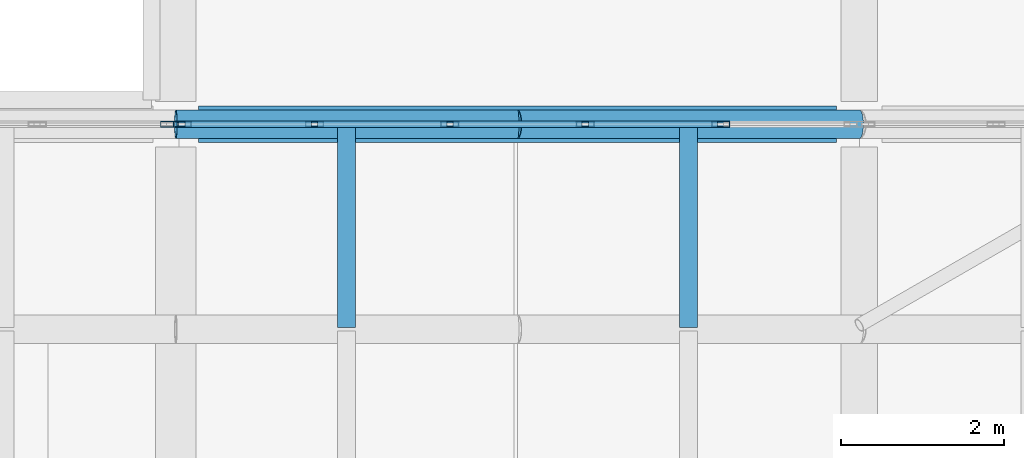
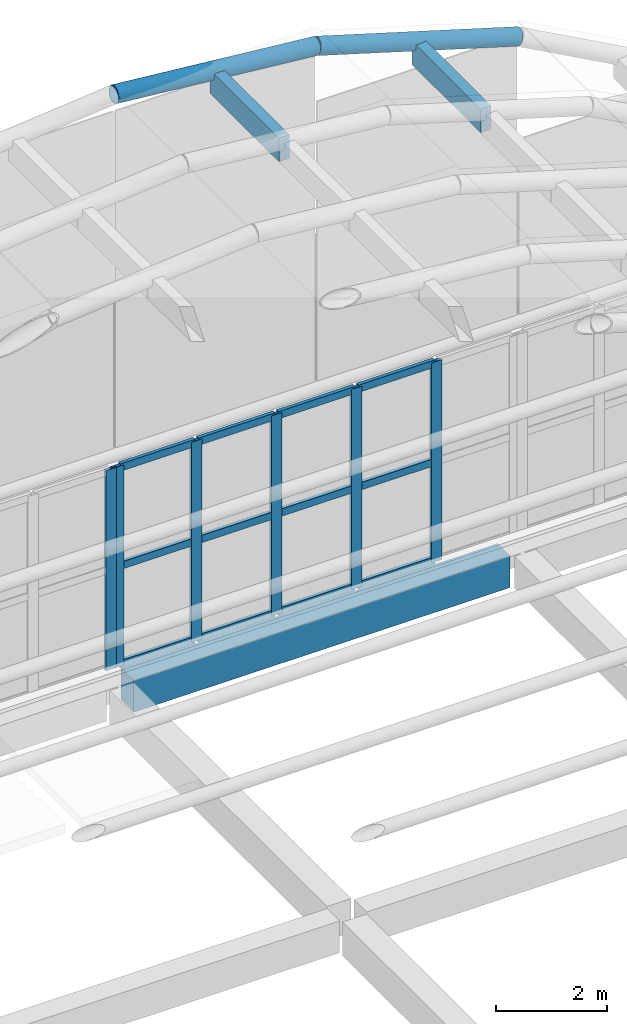
# One storey, part 17 of 26: 20 members, 3 beams, 2 elements without a shape of their own.
"""IFC4 building model written with IfcOpenShell, lengths in metres."""

from ifc_helpers import new_model, si_unit, direction, frame, origin, origin_2d, place, context, subcontext, project, spatial, rectangle, hollow_rectangle, hollow_circle, extrude, material, layer, layer_set, material_profile, profile_set, type_object, element, aggregate, save


model = new_model("IFC4")

# Units and contexts
model_context = context("Model", 3, precision=1e-05, world=origin(), true_north=direction((0.0, 1.0)))
body_context = subcontext(model_context, "Body", "Model", "MODEL_VIEW")
ifc_project = project(units=[si_unit("LENGTHUNIT", "METRE"), si_unit("AREAUNIT", "SQUARE_METRE"), si_unit("VOLUMEUNIT", "CUBIC_METRE"), si_unit("PLANEANGLEUNIT", "RADIAN"), si_unit("MASSUNIT", "GRAM", prefix="KILO")], contexts=[model_context])

# Site, building, storey
site_placement = place(None, origin())
site = spatial("IfcSite", under=ifc_project, at=site_placement, CompositionType="ELEMENT")
building_placement = place(site_placement, origin())
building = spatial("IfcBuilding", under=site, at=building_placement, Name="Xazarin Passage Department Store", CompositionType="ELEMENT")
storey_placement = place(building_placement, frame((0.0, 0.0, 36.89990234375)))
storey = spatial("IfcBuildingStorey", under=building, at=storey_placement, Name="RF", CompositionType="ELEMENT", Elevation=36.89990234375)

# Curtain wall, member
ifc_material_1 = material(Name="Bronze anodised aluminium", Category="aluminium")
ifc_layer = layer(ifc_material_1, 0.199951171875)
ifc_layer_set = layer_set([ifc_layer], Name="Bronze anodised aluminium")
curtain_wall_type = type_object("IfcCurtainWallType", Name="ARC-CW-VIT2", PredefinedType="NOTDEFINED", material=ifc_layer_set)
curtain_wall_1_placement = place(storey_placement, origin())
curtain_wall_1 = element("IfcCurtainWall", 1, at=curtain_wall_1_placement, inside=storey, type_object=curtain_wall_type, Name="RF V1 Atrium Lantern Curtain Wall 10", PredefinedType="NOTDEFINED")
ifc_material_profile_1 = material_profile(ifc_material_1, hollow_rectangle(XDim=0.074951171875, YDim=0.219970703125, WallThickness=0.0048828125, at=origin_2d()), Name="ALU 75x220")
ifc_profile_set_1 = profile_set([ifc_material_profile_1], Name="Bronze anodised aluminium")
member_type_1 = type_object("IfcMemberType", Name="ARC-CWM-75x220", PredefinedType="MULLION", material=ifc_profile_set_1)
member_1_placement = place(storey_placement, frame((16.722412109375, 101.60009765625, 0.0), z_axis=(0.0, 0.0, 1.0), x_axis=(0.0, 1.0, 0.0)))
member_1 = element("IfcMember", 2, at=member_1_placement, type_object=member_type_1, Name="CW2 mullion 6", PredefinedType="MULLION", context=body_context, shape_type="SweptSolid", body=[
    extrude(hollow_rectangle(XDim=0.074951171875, YDim=0.219970703125, WallThickness=0.0048828125, at=origin_2d()), origin(), (0.0, 0.0, 1.0), 4.404296875),
])
aggregate(curtain_wall_1, [member_1])

# Curtain wall, members
curtain_wall_2_placement = place(storey_placement, origin())
curtain_wall_2 = element("IfcCurtainWall", 3, at=curtain_wall_2_placement, inside=storey, type_object=curtain_wall_type, Name="RF V1 Atrium Lantern Curtain Wall 12", PredefinedType="NOTDEFINED")
member_2_placement = place(storey_placement, frame((16.87744140625, 101.60009765625, 0.0), z_axis=(0.0, 0.0, 1.0), x_axis=(0.0, 1.0, 0.0)))
member_2 = element("IfcMember", 4, at=member_2_placement, type_object=member_type_1, Name="CW2 mullion 1", PredefinedType="MULLION", context=body_context, shape_type="SweptSolid", body=[
    extrude(hollow_rectangle(XDim=0.074951171875, YDim=0.219970703125, WallThickness=0.0048828125, at=origin_2d()), origin(), (0.0, 0.0, 1.0), 4.404296875),
])
member_3_placement = place(storey_placement, frame((18.50390625, 101.60009765625, 0.0), z_axis=(0.0, 0.0, 1.0), x_axis=(0.0, 1.0, 0.0)))
member_3 = element("IfcMember", 5, at=member_3_placement, type_object=member_type_1, Name="CW2 mullion 2", PredefinedType="MULLION", context=body_context, shape_type="SweptSolid", body=[
    extrude(hollow_rectangle(XDim=0.074951171875, YDim=0.219970703125, WallThickness=0.0048828125, at=origin_2d()), origin(), (0.0, 0.0, 1.0), 4.404296875),
])
member_4_placement = place(storey_placement, frame((20.16796875, 101.60009765625, 0.0), z_axis=(0.0, 0.0, 1.0), x_axis=(0.0, 1.0, 0.0)))
member_4 = element("IfcMember", 6, at=member_4_placement, type_object=member_type_1, Name="CW2 mullion 3", PredefinedType="MULLION", context=body_context, shape_type="SweptSolid", body=[
    extrude(hollow_rectangle(XDim=0.074951171875, YDim=0.219970703125, WallThickness=0.0048828125, at=origin_2d()), origin(), (0.0, 0.0, 1.0), 4.404296875),
])
member_5_placement = place(storey_placement, frame((21.83203125, 101.60009765625, 0.0), z_axis=(0.0, 0.0, 1.0), x_axis=(0.0, 1.0, 0.0)))
member_5 = element("IfcMember", 7, at=member_5_placement, type_object=member_type_1, Name="CW2 mullion 4", PredefinedType="MULLION", context=body_context, shape_type="SweptSolid", body=[
    extrude(hollow_rectangle(XDim=0.074951171875, YDim=0.219970703125, WallThickness=0.0048828125, at=origin_2d()), origin(), (0.0, 0.0, 1.0), 4.404296875),
])
member_6_placement = place(storey_placement, frame((23.49609375, 101.60009765625, 0.0), z_axis=(0.0, 0.0, 1.0), x_axis=(0.0, 1.0, 0.0)))
member_6 = element("IfcMember", 8, at=member_6_placement, type_object=member_type_1, Name="CW2 mullion 5", PredefinedType="MULLION", context=body_context, shape_type="SweptSolid", body=[
    extrude(hollow_rectangle(XDim=0.074951171875, YDim=0.219970703125, WallThickness=0.0048828125, at=origin_2d()), origin(), (0.0, 0.0, 1.0), 4.404296875),
])
ifc_material_profile_2 = material_profile(ifc_material_1, hollow_rectangle(XDim=0.074951171875, YDim=0.159912109375, WallThickness=0.00439453125, at=origin_2d()), Name="ALU 75x160")
ifc_profile_set_2 = profile_set([ifc_material_profile_2], Name="Bronze anodised aluminium")
member_type_2 = type_object("IfcMemberType", Name="ARC-CWT-75x160", PredefinedType="USERDEFINED", material=ifc_profile_set_2)
member_7_placement = place(storey_placement, frame((16.9150390625, 101.60009765625, 0.03759765625), z_axis=(1.0, 0.0, 0.0), x_axis=(0.0, 1.0, 0.0)))
member_7 = element("IfcMember", 9, at=member_7_placement, type_object=member_type_2, Name="CW2 transom 1.1", ObjectType="TRANSOM", PredefinedType="USERDEFINED", context=body_context, shape_type="SweptSolid", body=[
    extrude(hollow_rectangle(XDim=0.074951171875, YDim=0.159912109375, WallThickness=0.00439453125, at=origin_2d()), origin(), (0.0, 0.0, 1.0), 1.551513671875),
])
member_8_placement = place(storey_placement, frame((16.9150390625, 101.60009765625, 2.2021484375), z_axis=(1.0, 0.0, 0.0), x_axis=(0.0, 1.0, 0.0)))
member_8 = element("IfcMember", 10, at=member_8_placement, type_object=member_type_2, Name="CW2 transom 1.2", ObjectType="TRANSOM", PredefinedType="USERDEFINED", context=body_context, shape_type="SweptSolid", body=[
    extrude(hollow_rectangle(XDim=0.074951171875, YDim=0.159912109375, WallThickness=0.00439453125, at=origin_2d()), origin(), (0.0, 0.0, 1.0), 1.551513671875),
])
member_9_placement = place(storey_placement, frame((16.9150390625, 101.60009765625, 4.36669921875), z_axis=(1.0, 0.0, 0.0), x_axis=(0.0, 1.0, 0.0)))
member_9 = element("IfcMember", 11, at=member_9_placement, type_object=member_type_2, Name="CW2 transom 1.3", ObjectType="TRANSOM", PredefinedType="USERDEFINED", context=body_context, shape_type="SweptSolid", body=[
    extrude(hollow_rectangle(XDim=0.074951171875, YDim=0.159912109375, WallThickness=0.00439453125, at=origin_2d()), origin(), (0.0, 0.0, 1.0), 1.551513671875),
])
member_10_placement = place(storey_placement, frame((18.54150390625, 101.60009765625, 0.03759765625), z_axis=(1.0, 0.0, 0.0), x_axis=(0.0, 1.0, 0.0)))
member_10 = element("IfcMember", 12, at=member_10_placement, type_object=member_type_2, Name="CW2 transom 2.1", ObjectType="TRANSOM", PredefinedType="USERDEFINED", context=body_context, shape_type="SweptSolid", body=[
    extrude(hollow_rectangle(XDim=0.074951171875, YDim=0.159912109375, WallThickness=0.00439453125, at=origin_2d()), origin(), (0.0, 0.0, 1.0), 1.589111328125),
])
member_11_placement = place(storey_placement, frame((18.54150390625, 101.60009765625, 2.2021484375), z_axis=(1.0, 0.0, 0.0), x_axis=(0.0, 1.0, 0.0)))
member_11 = element("IfcMember", 13, at=member_11_placement, type_object=member_type_2, Name="CW2 transom 2.2", ObjectType="TRANSOM", PredefinedType="USERDEFINED", context=body_context, shape_type="SweptSolid", body=[
    extrude(hollow_rectangle(XDim=0.074951171875, YDim=0.159912109375, WallThickness=0.00439453125, at=origin_2d()), origin(), (0.0, 0.0, 1.0), 1.589111328125),
])
member_12_placement = place(storey_placement, frame((18.54150390625, 101.60009765625, 4.36669921875), z_axis=(1.0, 0.0, 0.0), x_axis=(0.0, 1.0, 0.0)))
member_12 = element("IfcMember", 14, at=member_12_placement, type_object=member_type_2, Name="CW2 transom 2.3", ObjectType="TRANSOM", PredefinedType="USERDEFINED", context=body_context, shape_type="SweptSolid", body=[
    extrude(hollow_rectangle(XDim=0.074951171875, YDim=0.159912109375, WallThickness=0.00439453125, at=origin_2d()), origin(), (0.0, 0.0, 1.0), 1.589111328125),
])
member_13_placement = place(storey_placement, frame((20.20556640625, 101.60009765625, 0.03759765625), z_axis=(1.0, 0.0, 0.0), x_axis=(0.0, 1.0, 0.0)))
member_13 = element("IfcMember", 15, at=member_13_placement, type_object=member_type_2, Name="CW2 transom 3.1", ObjectType="TRANSOM", PredefinedType="USERDEFINED", context=body_context, shape_type="SweptSolid", body=[
    extrude(hollow_rectangle(XDim=0.074951171875, YDim=0.159912109375, WallThickness=0.00439453125, at=origin_2d()), origin(), (0.0, 0.0, 1.0), 1.5888671875),
])
member_14_placement = place(storey_placement, frame((20.20556640625, 101.60009765625, 2.2021484375), z_axis=(1.0, 0.0, 0.0), x_axis=(0.0, 1.0, 0.0)))
member_14 = element("IfcMember", 16, at=member_14_placement, type_object=member_type_2, Name="CW2 transom 3.2", ObjectType="TRANSOM", PredefinedType="USERDEFINED", context=body_context, shape_type="SweptSolid", body=[
    extrude(hollow_rectangle(XDim=0.074951171875, YDim=0.159912109375, WallThickness=0.00439453125, at=origin_2d()), origin(), (0.0, 0.0, 1.0), 1.5888671875),
])
member_15_placement = place(storey_placement, frame((20.20556640625, 101.60009765625, 4.36669921875), z_axis=(1.0, 0.0, 0.0), x_axis=(0.0, 1.0, 0.0)))
member_15 = element("IfcMember", 17, at=member_15_placement, type_object=member_type_2, Name="CW2 transom 3.3", ObjectType="TRANSOM", PredefinedType="USERDEFINED", context=body_context, shape_type="SweptSolid", body=[
    extrude(hollow_rectangle(XDim=0.074951171875, YDim=0.159912109375, WallThickness=0.00439453125, at=origin_2d()), origin(), (0.0, 0.0, 1.0), 1.5888671875),
])
member_16_placement = place(storey_placement, frame((21.869384765625, 101.60009765625, 0.03759765625), z_axis=(1.0, 0.0, 0.0), x_axis=(0.0, 1.0, 0.0)))
member_16 = element("IfcMember", 18, at=member_16_placement, type_object=member_type_2, Name="CW2 transom 4.1", ObjectType="TRANSOM", PredefinedType="USERDEFINED", context=body_context, shape_type="SweptSolid", body=[
    extrude(hollow_rectangle(XDim=0.074951171875, YDim=0.159912109375, WallThickness=0.00439453125, at=origin_2d()), origin(), (0.0, 0.0, 1.0), 1.589111328125),
])
member_17_placement = place(storey_placement, frame((21.869384765625, 101.60009765625, 2.2021484375), z_axis=(1.0, 0.0, 0.0), x_axis=(0.0, 1.0, 0.0)))
member_17 = element("IfcMember", 19, at=member_17_placement, type_object=member_type_2, Name="CW2 transom 4.2", ObjectType="TRANSOM", PredefinedType="USERDEFINED", context=body_context, shape_type="SweptSolid", body=[
    extrude(hollow_rectangle(XDim=0.074951171875, YDim=0.159912109375, WallThickness=0.00439453125, at=origin_2d()), origin(), (0.0, 0.0, 1.0), 1.589111328125),
])
member_18_placement = place(storey_placement, frame((21.869384765625, 101.60009765625, 4.36669921875), z_axis=(1.0, 0.0, 0.0), x_axis=(0.0, 1.0, 0.0)))
member_18 = element("IfcMember", 20, at=member_18_placement, type_object=member_type_2, Name="CW2 transom 4.3", ObjectType="TRANSOM", PredefinedType="USERDEFINED", context=body_context, shape_type="SweptSolid", body=[
    extrude(hollow_rectangle(XDim=0.074951171875, YDim=0.159912109375, WallThickness=0.00439453125, at=origin_2d()), origin(), (0.0, 0.0, 1.0), 1.589111328125),
])
aggregate(curtain_wall_2, [member_2, member_3, member_4, member_5, member_6, member_7, member_8, member_9, member_10, member_11, member_12, member_13, member_14, member_15, member_16, member_17, member_18])

# Beams
ifc_material_2 = material(Name="Steel S355", Category="steel")
ifc_material_profile_3 = material_profile(ifc_material_2, hollow_circle(Radius=0.177734375, WallThickness=0.01611328125, at=origin_2d()), Name="CHS 355.6x16")
ifc_profile_set_3 = profile_set([ifc_material_profile_3], Name="Steel S355")
beam_type_1 = type_object("IfcBeamType", Name="STR-BM-AR355", PredefinedType="BEAM", material=ifc_profile_set_3)
beam_1_placement = place(storey_placement, frame((16.800048828125, 101.60009765625, 12.60009765625), z_axis=(0.995387696044, 0.0, -0.095934011512), x_axis=(0.0, 1.0, 0.0)))
element("IfcBeam", 21, at=beam_1_placement, inside=storey, type_object=beam_type_1, Name="V1V Primary Arch Rib 11.5", PredefinedType="BEAM", context=body_context, shape_type="SweptSolid", body=[
    extrude(hollow_circle(Radius=0.177734375, WallThickness=0.01611328125, at=origin_2d()), origin(), (0.0, 0.0, 1.0), 4.219482421875),
])
beam_2_placement = place(storey_placement, frame((21.0, 101.60009765625, 12.1953125), z_axis=(0.957702086096, 0.0, -0.287761558044), x_axis=(0.0, 1.0, 0.0)))
element("IfcBeam", 22, at=beam_2_placement, inside=storey, type_object=beam_type_1, Name="V1V Primary Arch Rib 11.6", PredefinedType="BEAM", context=body_context, shape_type="SweptSolid", body=[
    extrude(hollow_circle(Radius=0.177734375, WallThickness=0.01611328125, at=origin_2d()), origin(), (0.0, 0.0, 1.0), 4.385498046875),
])
ifc_material_3 = material(Name="Concrete C35/45", Category="concrete")
ifc_material_profile_4 = material_profile(ifc_material_3, rectangle(XDim=0.449951171875, YDim=0.699951171875, at=origin_2d()), Name="RC 450x700")
ifc_profile_set_4 = profile_set([ifc_material_profile_4], Name="Concrete C35/45")
beam_type_2 = type_object("IfcBeamType", Name="STR-BM-G450x700", PredefinedType="BEAM", material=ifc_profile_set_4)
beam_3_placement = place(storey_placement, frame((17.080078125, 101.60009765625, -0.60986328125), z_axis=(1.0, 0.0, 0.0), x_axis=(0.0, 1.0, 0.0)))
element("IfcBeam", 23, at=beam_3_placement, inside=storey, type_object=beam_type_2, Name="RF Grid Beam P/3-4", PredefinedType="BEAM", context=body_context, shape_type="SweptSolid", body=[
    extrude(rectangle(XDim=0.449951171875, YDim=0.699951171875, at=origin_2d()), origin(), (0.0, 0.0, 1.0), 7.83984375),
])

# Members
ifc_material_4 = material(Name="Glulam GL28h", Category="wood")
ifc_material_profile_5 = material_profile(ifc_material_4, rectangle(XDim=0.219970703125, YDim=0.52001953125, at=origin_2d()), Name="GL28h 220x520")
ifc_profile_set_5 = profile_set([ifc_material_profile_5], Name="Glulam GL28h")
member_type_3 = type_object("IfcMemberType", Name="STR-MEM-GL520", PredefinedType="PURLIN", material=ifc_profile_set_5)
for number, where, z_axis, x_axis, name in (
    (24, (18.89990234375, 99.10009765625, 12.195556640625), (0.0, 1.0, 0.0), (-1.0, 0.0, 0.0), "V1V Glulam Gridshell Purlin 10.5"),
    (25, (23.10009765625, 99.10009765625, 11.3623046875), (0.0, 1.0, 0.0), (-1.0, 0.0, 0.0), "V1V Glulam Gridshell Purlin 10.6"),
):
    element("IfcMember", number, at=place(storey_placement, frame(where, z_axis=z_axis, x_axis=x_axis)), inside=storey, type_object=member_type_3, Name=name, PredefinedType="PURLIN", context=body_context, shape_type="SweptSolid", body=[
        extrude(rectangle(XDim=0.219970703125, YDim=0.52001953125, at=origin_2d()), origin(), (0.0, 0.0, 1.0), 2.47998046875),
    ])

save(model, "model.ifc")
